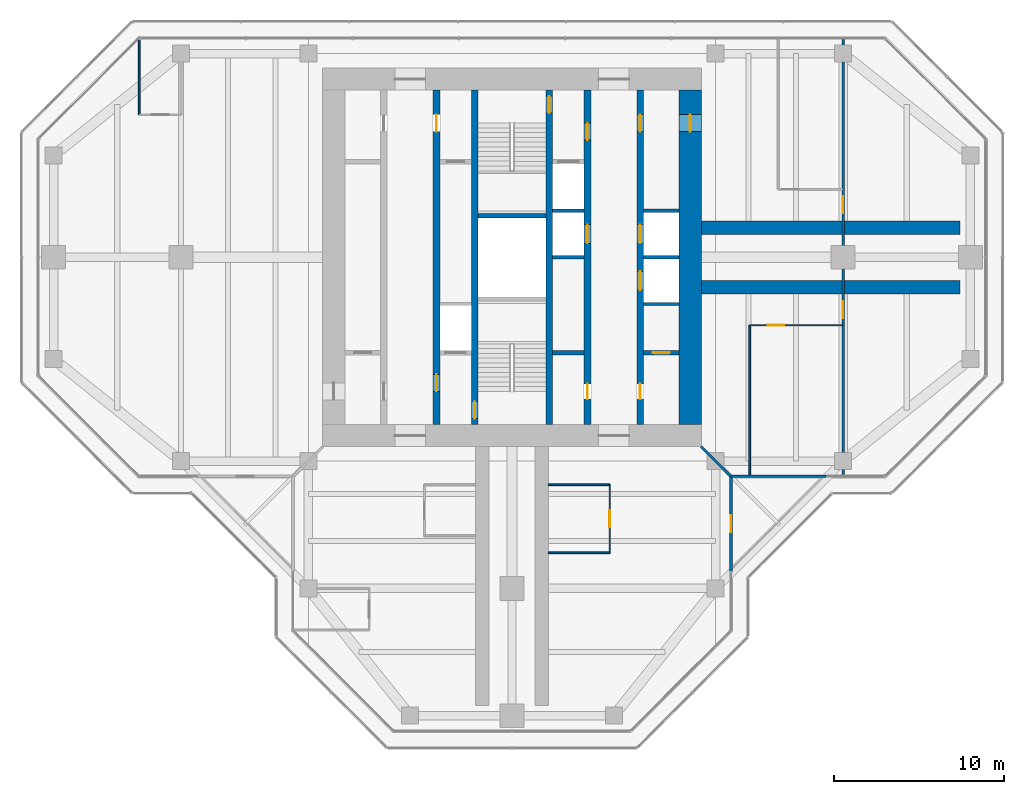
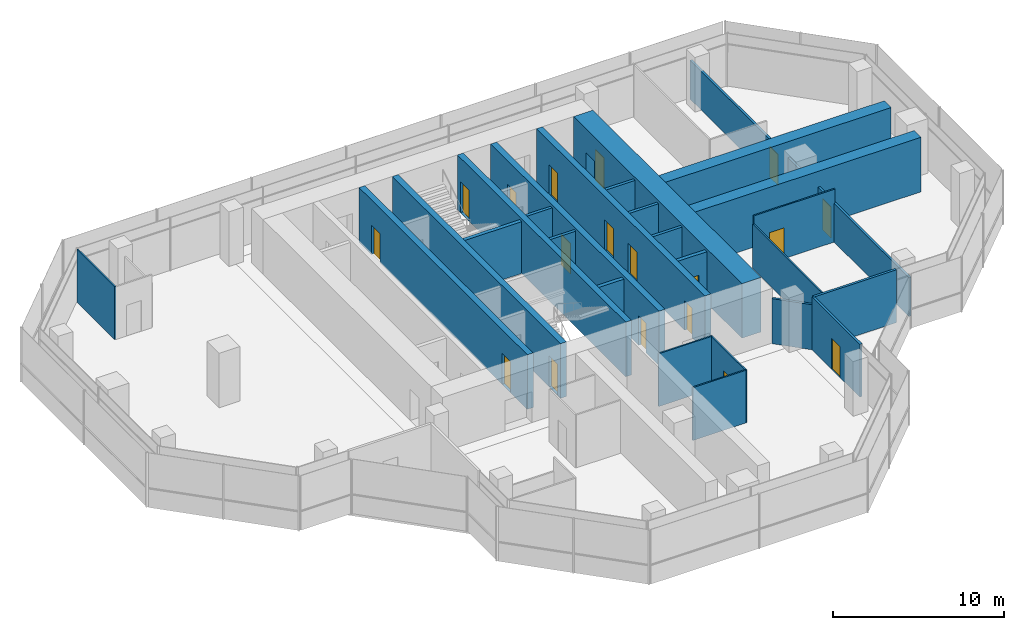
# One storey, part 12 of 15: 26 walls, 18 doors, 18 openings.
"""IFC4 building model written with IfcOpenShell, lengths in metres."""

from ifc_helpers import new_model, si_unit, direction, frame, frame_2d, origin, place, context, subcontext, project, spatial, rectangle, extrude, material, layer, layer_set, type_object, element, fill, save


model = new_model("IFC4")

# Units and contexts
model_context = context("Model", 3, precision=1e-05, world=origin(), true_north=direction((0.0, 1.0)))
body_context = subcontext(model_context, "Body", "Model", "MODEL_VIEW")
ifc_project = project(units=[si_unit("LENGTHUNIT", "METRE"), si_unit("AREAUNIT", "SQUARE_METRE"), si_unit("VOLUMEUNIT", "CUBIC_METRE"), si_unit("PLANEANGLEUNIT", "RADIAN"), si_unit("MASSUNIT", "GRAM", prefix="KILO")], contexts=[model_context])

# Site, building, storey
site_placement = place(None, origin())
site = spatial("IfcSite", under=ifc_project, at=site_placement, CompositionType="ELEMENT")
building_placement = place(site_placement, origin())
building = spatial("IfcBuilding", under=site, at=building_placement, Name="Mizan Broadcast Tower", CompositionType="ELEMENT")
storey_placement = place(building_placement, frame((0.0, 0.0, 271.199951171875)))
storey = spatial("IfcBuildingStorey", under=building, at=storey_placement, Name="L64", CompositionType="ELEMENT", Elevation=271.199951171875)

# Wall, openings, doors
ifc_material_1 = material(Name="Concrete C70/85", Category="concrete")
ifc_layer_1 = layer(ifc_material_1, 0.39990234375)
ifc_layer_set_1 = layer_set([ifc_layer_1], Name="Concrete C70/85")
wall_type_1 = type_object("IfcWallType", Name="CORE INTERNAL WALL 400", PredefinedType="SHEAR", material=ifc_layer_set_1)
wall_1_placement = place(storey_placement, frame((7.550048828125, 9.85009765625, 0.0), z_axis=(0.0, 0.0, 1.0), x_axis=(0.0, -1.0, 0.0)))
wall_1 = element("IfcWall", 1, at=wall_1_placement, inside=storey, type_object=wall_type_1, Name="Core wall CORE/XW1E", PredefinedType="SHEAR", context=body_context, shape_type="SweptSolid", body=[
    extrude(rectangle(XDim=19.7001953125, YDim=0.39990234375, at=frame_2d((9.85009765625, 0.0))), origin(), (0.0, 0.0, 1.0), 3.900146484375),
])
opening_1_placement = place(wall_1_placement, frame((1.449951171875, 0.0, 0.0)))
opening_1 = element("IfcOpeningElement", 2, at=opening_1_placement, cuts=wall_1, Name="Opening D10F", PredefinedType="OPENING", context=body_context, shape_type="SweptSolid", body=[
    extrude(rectangle(XDim=1.0, YDim=2.199951171875, at=frame_2d((0.5, 1.10009765625))), frame((0.0, 0.2099609375, 0.0), z_axis=(0.0, -1.0, 0.0), x_axis=(1.0, 0.0, 0.0)), (0.0, 0.0, 1.0), 0.419921875),
])
opening_2_placement = place(wall_1_placement, frame((17.300048828125, 0.0, 0.0)))
opening_2 = element("IfcOpeningElement", 3, at=opening_2_placement, cuts=wall_1, Name="Opening D09", PredefinedType="OPENING", context=body_context, shape_type="SweptSolid", body=[
    extrude(rectangle(XDim=0.89990234375, YDim=2.10009765625, at=frame_2d((0.449951171875, 1.050048828125))), frame((0.0, 0.2099609375, 0.0), z_axis=(0.0, -1.0, 0.0), x_axis=(1.0, 0.0, 0.0)), (0.0, 0.0, 1.0), 0.419921875),
])
opening_3_placement = place(wall_1_placement, frame((7.925048828125, 0.0, 0.0)))
opening_3 = element("IfcOpeningElement", 4, at=opening_3_placement, cuts=wall_1, Name="Opening LD", PredefinedType="OPENING", context=body_context, shape_type="SweptSolid", body=[
    extrude(rectangle(XDim=1.10009765625, YDim=2.199951171875, at=frame_2d((0.550048828125, 1.10009765625))), frame((0.0, 0.2099609375, 0.0), z_axis=(0.0, -1.0, 0.0), x_axis=(1.0, 0.0, 0.0)), (0.0, 0.0, 1.0), 0.419921875),
])
opening_4_placement = place(wall_1_placement, frame((10.675048828125, 0.0, 0.0)))
opening_4 = element("IfcOpeningElement", 5, at=opening_4_placement, cuts=wall_1, Name="Opening LD", PredefinedType="OPENING", context=body_context, shape_type="SweptSolid", body=[
    extrude(rectangle(XDim=1.10009765625, YDim=2.199951171875, at=frame_2d((0.550048828125, 1.10009765625))), frame((0.0, 0.2099609375, 0.0), z_axis=(0.0, -1.0, 0.0), x_axis=(1.0, 0.0, 0.0)), (0.0, 0.0, 1.0), 0.419921875),
])
ifc_material_2 = material(Name="Steel door leaf in steel frame", Category="steel")
door_type_1 = type_object("IfcDoorType", Name="FIRE DOOR 1000 FD90", OperationType="SINGLE_SWING_LEFT", PredefinedType="DOOR", material=ifc_material_2)
door_1_placement = place(opening_1_placement, origin())
door_1 = element("IfcDoor", 6, at=door_1_placement, inside=storey, type_object=door_type_1, Name="East core passage door", OperationType="SINGLE_SWING_LEFT", OverallHeight=2.199951171875, OverallWidth=1.0, PredefinedType="DOOR", context=body_context, shape_type="SweptSolid", body=[
    extrude(rectangle(XDim=1.0, YDim=2.199951171875, at=frame_2d((0.5, 1.10009765625))), frame((0.0, 0.02490234375, 0.0), z_axis=(0.0, -1.0, 0.0), x_axis=(1.0, 0.0, 0.0)), (0.0, 0.0, 1.0), 0.050048828125),
])
fill(opening_1, door_1)
ifc_material_3 = material(Name="Steel door leaf in steel frame", Category="steel")
door_type_2 = type_object("IfcDoorType", Name="LIFT LANDING DOOR 1100", OperationType="SLIDING_TO_LEFT", PredefinedType="DOOR", material=ifc_material_3)
door_2_placement = place(opening_3_placement, origin())
door_2 = element("IfcDoor", 7, at=door_2_placement, inside=storey, type_object=door_type_2, Name="Landing door LD1", OperationType="SLIDING_TO_LEFT", OverallHeight=2.199951171875, OverallWidth=1.10009765625, PredefinedType="DOOR", context=body_context, shape_type="SweptSolid", body=[
    extrude(rectangle(XDim=1.10009765625, YDim=2.199951171875, at=frame_2d((0.550048828125, 1.10009765625))), frame((0.0, 0.02490234375, 0.0), z_axis=(0.0, -1.0, 0.0), x_axis=(1.0, 0.0, 0.0)), (0.0, 0.0, 1.0), 0.050048828125),
])
fill(opening_3, door_2)
door_3_placement = place(opening_4_placement, origin())
door_3 = element("IfcDoor", 8, at=door_3_placement, inside=storey, type_object=door_type_2, Name="Landing door LD2", OperationType="SLIDING_TO_LEFT", OverallHeight=2.199951171875, OverallWidth=1.10009765625, PredefinedType="DOOR", context=body_context, shape_type="SweptSolid", body=[
    extrude(rectangle(XDim=1.10009765625, YDim=2.199951171875, at=frame_2d((0.550048828125, 1.10009765625))), frame((0.0, 0.02490234375, 0.0), z_axis=(0.0, -1.0, 0.0), x_axis=(1.0, 0.0, 0.0)), (0.0, 0.0, 1.0), 0.050048828125),
])
fill(opening_4, door_3)
ifc_material_4 = material(Name="Timber door leaf in aluminium frame", Category="wood")
door_type_3 = type_object("IfcDoorType", Name="TOILET DOOR 900", OperationType="SINGLE_SWING_LEFT", PredefinedType="DOOR", material=ifc_material_4)
door_4_placement = place(opening_2_placement, origin())
door_4 = element("IfcDoor", 9, at=door_4_placement, inside=storey, type_object=door_type_3, Name="Female WC door", OperationType="SINGLE_SWING_RIGHT", OverallHeight=2.10009765625, OverallWidth=0.89990234375, PredefinedType="DOOR", context=body_context, shape_type="SweptSolid", body=[
    extrude(rectangle(XDim=0.89990234375, YDim=2.10009765625, at=frame_2d((0.449951171875, 1.050048828125))), frame((0.0, 0.02490234375, 0.0), z_axis=(0.0, -1.0, 0.0), x_axis=(1.0, 0.0, 0.0)), (0.0, 0.0, 1.0), 0.050048828125),
])
fill(opening_2, door_4)

wall_2_placement = place(storey_placement, frame((-4.449951171875, -9.85009765625, 0.0), z_axis=(0.0, 0.0, 1.0), x_axis=(0.0, 1.0, 0.0)))
wall_2 = element("IfcWall", 10, at=wall_2_placement, inside=storey, type_object=wall_type_1, Name="Core wall CORE/XWH", PredefinedType="SHEAR", context=body_context, shape_type="SweptSolid", body=[
    extrude(rectangle(XDim=19.7001953125, YDim=0.39990234375, at=frame_2d((9.85009765625, 0.0))), origin(), (0.0, 0.0, 1.0), 3.900146484375),
])
opening_5_placement = place(wall_2_placement, frame((1.949951171875, 0.0, 0.0)))
opening_5 = element("IfcOpeningElement", 11, at=opening_5_placement, cuts=wall_2, Name="Opening D10F", PredefinedType="OPENING", context=body_context, shape_type="SweptSolid", body=[
    extrude(rectangle(XDim=1.0, YDim=2.199951171875, at=frame_2d((0.5, 1.10009765625))), frame((0.0, 0.2099609375, 0.0), z_axis=(0.0, -1.0, 0.0), x_axis=(1.0, 0.0, 0.0)), (0.0, 0.0, 1.0), 0.419921875),
])
opening_6_placement = place(wall_2_placement, frame((17.25, 0.0, 0.0)))
opening_6 = element("IfcOpeningElement", 12, at=opening_6_placement, cuts=wall_2, Name="Opening D10A", PredefinedType="OPENING", context=body_context, shape_type="SweptSolid", body=[
    extrude(rectangle(XDim=1.0, YDim=2.10009765625, at=frame_2d((0.5, 1.050048828125))), frame((0.0, 0.2099609375, 0.0), z_axis=(0.0, -1.0, 0.0), x_axis=(1.0, 0.0, 0.0)), (0.0, 0.0, 1.0), 0.419921875),
])
ifc_material_5 = material(Name="Timber door leaf in aluminium frame", Category="wood")
door_type_4 = type_object("IfcDoorType", Name="ACCESSIBLE WC DOOR 1000", OperationType="SLIDING_TO_LEFT", PredefinedType="DOOR", material=ifc_material_5)
door_5_placement = place(opening_6_placement, origin())
door_5 = element("IfcDoor", 13, at=door_5_placement, inside=storey, type_object=door_type_4, Name="Accessible WC door", OperationType="SLIDING_TO_LEFT", OverallHeight=2.10009765625, OverallWidth=1.0, PredefinedType="DOOR", context=body_context, shape_type="SweptSolid", body=[
    extrude(rectangle(XDim=1.0, YDim=2.10009765625, at=frame_2d((0.5, 1.050048828125))), frame((0.0, 0.02490234375, 0.0), z_axis=(0.0, -1.0, 0.0), x_axis=(1.0, 0.0, 0.0)), (0.0, 0.0, 1.0), 0.050048828125),
])
fill(opening_6, door_5)
door_6_placement = place(opening_5_placement, origin())
door_6 = element("IfcDoor", 14, at=door_6_placement, inside=storey, type_object=door_type_1, Name="Firefighting lobby A door", OperationType="SINGLE_SWING_LEFT", OverallHeight=2.199951171875, OverallWidth=1.0, PredefinedType="DOOR", context=body_context, shape_type="SweptSolid", body=[
    extrude(rectangle(XDim=1.0, YDim=2.199951171875, at=frame_2d((0.5, 1.10009765625))), frame((0.0, 0.02490234375, 0.0), z_axis=(0.0, -1.0, 0.0), x_axis=(1.0, 0.0, 0.0)), (0.0, 0.0, 1.0), 0.050048828125),
])
fill(opening_5, door_6)

wall_3_placement = place(storey_placement, frame((4.449951171875, 9.85009765625, 0.0), z_axis=(0.0, 0.0, 1.0), x_axis=(0.0, -1.0, 0.0)))
wall_3 = element("IfcWall", 15, at=wall_3_placement, inside=storey, type_object=wall_type_1, Name="Core wall CORE/XWHE", PredefinedType="SHEAR", context=body_context, shape_type="SweptSolid", body=[
    extrude(rectangle(XDim=19.7001953125, YDim=0.39990234375, at=frame_2d((9.85009765625, 0.0))), origin(), (0.0, 0.0, 1.0), 3.900146484375),
])
opening_7_placement = place(wall_3_placement, frame((1.949951171875, 0.0, 0.0)))
opening_7 = element("IfcOpeningElement", 16, at=opening_7_placement, cuts=wall_3, Name="Opening D10F", PredefinedType="OPENING", context=body_context, shape_type="SweptSolid", body=[
    extrude(rectangle(XDim=1.0, YDim=2.199951171875, at=frame_2d((0.5, 1.10009765625))), frame((0.0, 0.2099609375, 0.0), z_axis=(0.0, -1.0, 0.0), x_axis=(1.0, 0.0, 0.0)), (0.0, 0.0, 1.0), 0.419921875),
])
opening_8_placement = place(wall_3_placement, frame((17.300048828125, 0.0, 0.0)))
opening_8 = element("IfcOpeningElement", 17, at=opening_8_placement, cuts=wall_3, Name="Opening D09", PredefinedType="OPENING", context=body_context, shape_type="SweptSolid", body=[
    extrude(rectangle(XDim=0.89990234375, YDim=2.10009765625, at=frame_2d((0.449951171875, 1.050048828125))), frame((0.0, 0.2099609375, 0.0), z_axis=(0.0, -1.0, 0.0), x_axis=(1.0, 0.0, 0.0)), (0.0, 0.0, 1.0), 0.419921875),
])
opening_9_placement = place(wall_3_placement, frame((7.925048828125, 0.0, 0.0)))
opening_9 = element("IfcOpeningElement", 18, at=opening_9_placement, cuts=wall_3, Name="Opening LD", PredefinedType="OPENING", context=body_context, shape_type="SweptSolid", body=[
    extrude(rectangle(XDim=1.10009765625, YDim=2.199951171875, at=frame_2d((0.550048828125, 1.10009765625))), frame((0.0, 0.2099609375, 0.0), z_axis=(0.0, -1.0, 0.0), x_axis=(1.0, 0.0, 0.0)), (0.0, 0.0, 1.0), 0.419921875),
])
door_7_placement = place(opening_7_placement, origin())
door_7 = element("IfcDoor", 19, at=door_7_placement, inside=storey, type_object=door_type_1, Name="Firefighting lobby B door", OperationType="SINGLE_SWING_LEFT", OverallHeight=2.199951171875, OverallWidth=1.0, PredefinedType="DOOR", context=body_context, shape_type="SweptSolid", body=[
    extrude(rectangle(XDim=1.0, YDim=2.199951171875, at=frame_2d((0.5, 1.10009765625))), frame((0.0, 0.02490234375, 0.0), z_axis=(0.0, -1.0, 0.0), x_axis=(1.0, 0.0, 0.0)), (0.0, 0.0, 1.0), 0.050048828125),
])
fill(opening_7, door_7)
door_8_placement = place(opening_9_placement, origin())
door_8 = element("IfcDoor", 20, at=door_8_placement, inside=storey, type_object=door_type_2, Name="Landing door LD3", OperationType="SLIDING_TO_LEFT", OverallHeight=2.199951171875, OverallWidth=1.10009765625, PredefinedType="DOOR", context=body_context, shape_type="SweptSolid", body=[
    extrude(rectangle(XDim=1.10009765625, YDim=2.199951171875, at=frame_2d((0.550048828125, 1.10009765625))), frame((0.0, 0.02490234375, 0.0), z_axis=(0.0, -1.0, 0.0), x_axis=(1.0, 0.0, 0.0)), (0.0, 0.0, 1.0), 0.050048828125),
])
fill(opening_9, door_8)
door_9_placement = place(opening_8_placement, origin())
door_9 = element("IfcDoor", 21, at=door_9_placement, inside=storey, type_object=door_type_3, Name="Cleaner's store door", OperationType="SINGLE_SWING_RIGHT", OverallHeight=2.10009765625, OverallWidth=0.89990234375, PredefinedType="DOOR", context=body_context, shape_type="SweptSolid", body=[
    extrude(rectangle(XDim=0.89990234375, YDim=2.10009765625, at=frame_2d((0.449951171875, 1.050048828125))), frame((0.0, 0.02490234375, 0.0), z_axis=(0.0, -1.0, 0.0), x_axis=(1.0, 0.0, 0.0)), (0.0, 0.0, 1.0), 0.050048828125),
])
fill(opening_8, door_9)

# Wall, opening, door
wall_4_placement = place(storey_placement, frame((-2.199951171875, -9.85009765625, 0.0), z_axis=(0.0, 0.0, 1.0), x_axis=(0.0, 1.0, 0.0)))
wall_4 = element("IfcWall", 22, at=wall_4_placement, inside=storey, type_object=wall_type_1, Name="Core wall CORE/XW2", PredefinedType="SHEAR", context=body_context, shape_type="SweptSolid", body=[
    extrude(rectangle(XDim=19.7001953125, YDim=0.39990234375, at=frame_2d((9.85009765625, 0.0))), origin(), (0.0, 0.0, 1.0), 3.900146484375),
])
opening_10_placement = place(wall_4_placement, frame((0.35009765625, 0.0, 0.0)))
opening_10 = element("IfcOpeningElement", 23, at=opening_10_placement, cuts=wall_4, Name="Opening D10S", PredefinedType="OPENING", context=body_context, shape_type="SweptSolid", body=[
    extrude(rectangle(XDim=1.0, YDim=2.199951171875, at=frame_2d((0.5, 1.10009765625))), frame((0.0, 0.2099609375, 0.0), z_axis=(0.0, -1.0, 0.0), x_axis=(1.0, 0.0, 0.0)), (0.0, 0.0, 1.0), 0.419921875),
])
ifc_material_6 = material(Name="Steel door leaf in steel frame", Category="steel")
door_type_5 = type_object("IfcDoorType", Name="STAIR DOOR 1000 FD90S", OperationType="SINGLE_SWING_RIGHT", PredefinedType="DOOR", material=ifc_material_6)
door_10_placement = place(opening_10_placement, origin())
door_10 = element("IfcDoor", 24, at=door_10_placement, inside=storey, type_object=door_type_5, Name="Stair A door", OperationType="SINGLE_SWING_RIGHT", OverallHeight=2.199951171875, OverallWidth=1.0, PredefinedType="DOOR", context=body_context, shape_type="SweptSolid", body=[
    extrude(rectangle(XDim=1.0, YDim=2.199951171875, at=frame_2d((0.5, 1.10009765625))), frame((0.0, 0.02490234375, 0.0), z_axis=(0.0, -1.0, 0.0), x_axis=(1.0, 0.0, 0.0)), (0.0, 0.0, 1.0), 0.050048828125),
])
fill(opening_10, door_10)

wall_5_placement = place(storey_placement, frame((2.199951171875, 9.85009765625, 0.0), z_axis=(0.0, 0.0, 1.0), x_axis=(0.0, -1.0, 0.0)))
wall_5 = element("IfcWall", 25, at=wall_5_placement, inside=storey, type_object=wall_type_1, Name="Core wall CORE/XW2E", PredefinedType="SHEAR", context=body_context, shape_type="SweptSolid", body=[
    extrude(rectangle(XDim=19.7001953125, YDim=0.39990234375, at=frame_2d((9.85009765625, 0.0))), origin(), (0.0, 0.0, 1.0), 3.900146484375),
])
opening_11_placement = place(wall_5_placement, frame((0.35009765625, 0.0, 0.0)))
opening_11 = element("IfcOpeningElement", 26, at=opening_11_placement, cuts=wall_5, Name="Opening D10S", PredefinedType="OPENING", context=body_context, shape_type="SweptSolid", body=[
    extrude(rectangle(XDim=1.0, YDim=2.199951171875, at=frame_2d((0.5, 1.10009765625))), frame((0.0, 0.2099609375, 0.0), z_axis=(0.0, -1.0, 0.0), x_axis=(1.0, 0.0, 0.0)), (0.0, 0.0, 1.0), 0.419921875),
])
door_11_placement = place(opening_11_placement, origin())
door_11 = element("IfcDoor", 27, at=door_11_placement, inside=storey, type_object=door_type_5, Name="Stair B door", OperationType="SINGLE_SWING_RIGHT", OverallHeight=2.199951171875, OverallWidth=1.0, PredefinedType="DOOR", context=body_context, shape_type="SweptSolid", body=[
    extrude(rectangle(XDim=1.0, YDim=2.199951171875, at=frame_2d((0.5, 1.10009765625))), frame((0.0, 0.02490234375, 0.0), z_axis=(0.0, -1.0, 0.0), x_axis=(1.0, 0.0, 0.0)), (0.0, 0.0, 1.0), 0.050048828125),
])
fill(opening_11, door_11)

ifc_material_7 = material(Name="Concrete C70/85", Category="concrete")
ifc_layer_2 = layer(ifc_material_7, 1.300048828125)
ifc_layer_set_2 = layer_set([ifc_layer_2], Name="Concrete C70/85")
wall_type_2 = type_object("IfcWallType", Name="CORE WALL 1300", PredefinedType="SHEAR", material=ifc_layer_set_2)
wall_6_placement = place(storey_placement, frame((10.5, -9.85009765625, 0.0), z_axis=(0.0, 0.0, 1.0), x_axis=(0.0, 1.0, 0.0)))
wall_6 = element("IfcWall", 28, at=wall_6_placement, inside=storey, type_object=wall_type_2, Name="Core wall E L64", PredefinedType="SHEAR", context=body_context, shape_type="SweptSolid", body=[
    extrude(rectangle(XDim=19.7001953125, YDim=1.300048828125, at=frame_2d((9.85009765625, 0.0))), origin(), (0.0, 0.0, 1.0), 3.900146484375),
])
opening_12_placement = place(wall_6_placement, frame((17.25, 0.0, 0.0)))
opening_12 = element("IfcOpeningElement", 29, at=opening_12_placement, cuts=wall_6, Name="Opening D10F", PredefinedType="OPENING", context=body_context, shape_type="SweptSolid", body=[
    extrude(rectangle(XDim=1.0, YDim=2.199951171875, at=frame_2d((0.5, 1.10009765625))), frame((0.0, 0.659912109375, 0.0), z_axis=(0.0, -1.0, 0.0), x_axis=(1.0, 0.0, 0.0)), (0.0, 0.0, 1.0), 1.320068359375),
])
door_12_placement = place(opening_12_placement, origin())
door_12 = element("IfcDoor", 30, at=door_12_placement, inside=storey, type_object=door_type_1, Name="East core passage arm door", OperationType="SINGLE_SWING_RIGHT", OverallHeight=2.199951171875, OverallWidth=1.0, PredefinedType="DOOR", context=body_context, shape_type="SweptSolid", body=[
    extrude(rectangle(XDim=1.0, YDim=2.199951171875, at=frame_2d((0.5, 1.10009765625))), frame((0.0, 0.02490234375, 0.0), z_axis=(0.0, -1.0, 0.0), x_axis=(1.0, 0.0, 0.0)), (0.0, 0.0, 1.0), 0.050048828125),
])
fill(opening_12, door_12)

# Wall
ifc_material_8 = material(Name="Aluminium framed glazed screen", Category="aluminium")
ifc_layer_3 = layer(ifc_material_8, 0.159912109375)
ifc_layer_set_3 = layer_set([ifc_layer_3], Name="Aluminium framed glazed screen")
wall_type_3 = type_object("IfcWallType", Name="GLAZED SCREEN WALL 160", PredefinedType="SOLIDWALL", material=ifc_layer_set_3)
wall_7_placement = place(storey_placement, frame((12.89990234375, -12.89990234375, 0.0), z_axis=(0.0, 0.0, 1.0), x_axis=(1.0, 0.0, 0.0)))
element("IfcWall", 31, at=wall_7_placement, inside=storey, type_object=wall_type_3, Name="Winter garden screen L64 E", PredefinedType="SOLIDWALL", context=body_context, shape_type="SweptSolid", body=[
    extrude(rectangle(XDim=5.60009765625, YDim=0.159912109375, at=frame_2d((2.800048828125, 0.0))), origin(), (0.0, 0.0, 1.0), 3.77001953125),
])

# Wall, opening, door
wall_8_placement = place(storey_placement, frame((12.89990234375, -18.5, 0.0), z_axis=(0.0, 0.0, 1.0), x_axis=(0.0, 1.0, 0.0)))
wall_8 = element("IfcWall", 32, at=wall_8_placement, inside=storey, type_object=wall_type_3, Name="Winter garden screen L64 S", PredefinedType="SOLIDWALL", context=body_context, shape_type="SweptSolid", body=[
    extrude(rectangle(XDim=5.60009765625, YDim=0.159912109375, at=frame_2d((2.800048828125, 0.0))), origin(), (0.0, 0.0, 1.0), 3.77001953125),
])
opening_13_placement = place(wall_8_placement, frame((2.300048828125, 0.0, 0.0)))
opening_13 = element("IfcOpeningElement", 33, at=opening_13_placement, cuts=wall_8, Name="Opening WGD", PredefinedType="OPENING", context=body_context, shape_type="SweptSolid", body=[
    extrude(rectangle(XDim=1.0, YDim=2.199951171875, at=frame_2d((0.5, 1.10009765625))), frame((0.0, 0.08984375, 0.0), z_axis=(0.0, -1.0, 0.0), x_axis=(1.0, 0.0, 0.0)), (0.0, 0.0, 1.0), 0.179931640625),
])
ifc_material_9 = material(Name="Aluminium framed glazed door", Category="aluminium")
door_type_6 = type_object("IfcDoorType", Name="WINTER GARDEN DOOR 1000 GLAZED", OperationType="SINGLE_SWING_LEFT", PredefinedType="DOOR", material=ifc_material_9)
door_13_placement = place(opening_13_placement, origin())
door_13 = element("IfcDoor", 34, at=door_13_placement, inside=storey, type_object=door_type_6, Name="Winter garden door L64 S", OperationType="SINGLE_SWING_RIGHT", OverallHeight=2.199951171875, OverallWidth=1.0, PredefinedType="DOOR", context=body_context, shape_type="SweptSolid", body=[
    extrude(rectangle(XDim=1.0, YDim=2.199951171875, at=frame_2d((0.5, 1.10009765625))), frame((0.0, 0.02490234375, 0.0), z_axis=(0.0, -1.0, 0.0), x_axis=(1.0, 0.0, 0.0)), (0.0, 0.0, 1.0), 0.050048828125),
])
fill(opening_13, door_13)

# Walls
ifc_material_10 = material(Name="Concrete blockwork", Category="masonry")
ifc_layer_4 = layer(ifc_material_10, 0.199951171875)
ifc_layer_set_4 = layer_set([ifc_layer_4], Name="Concrete blockwork")
wall_type_4 = type_object("IfcWallType", Name="LIFT SHAFT WALL 200", PredefinedType="SOLIDWALL", material=ifc_layer_set_4)
wall_9_placement = place(storey_placement, frame((7.75, -2.75, 0.0), z_axis=(0.0, 0.0, 1.0), x_axis=(1.0, 0.0, 0.0)))
element("IfcWall", 35, at=wall_9_placement, inside=storey, type_object=wall_type_4, Name="Lift shaft wall CORE/SE1-1", PredefinedType="SOLIDWALL", context=body_context, shape_type="SweptSolid", body=[
    extrude(rectangle(XDim=2.10009765625, YDim=0.199951171875, at=frame_2d((1.050048828125, 0.0))), origin(), (0.0, 0.0, 1.0), 3.699951171875),
])
wall_10_placement = place(storey_placement, frame((2.39990234375, 0.0, 0.0), z_axis=(0.0, 0.0, 1.0), x_axis=(1.0, 0.0, 0.0)))
element("IfcWall", 36, at=wall_10_placement, inside=storey, type_object=wall_type_4, Name="Lift shaft wall CORE/SE2-2", PredefinedType="SOLIDWALL", context=body_context, shape_type="SweptSolid", body=[
    extrude(rectangle(XDim=1.85009765625, YDim=0.199951171875, at=frame_2d((0.925048828125, 0.0))), origin(), (0.0, 0.0, 1.0), 3.699951171875),
])
wall_11_placement = place(storey_placement, frame((7.75, 0.0, 0.0), z_axis=(0.0, 0.0, 1.0), x_axis=(1.0, 0.0, 0.0)))
element("IfcWall", 37, at=wall_11_placement, inside=storey, type_object=wall_type_4, Name="Lift shaft wall CORE/SE1-2", PredefinedType="SOLIDWALL", context=body_context, shape_type="SweptSolid", body=[
    extrude(rectangle(XDim=2.10009765625, YDim=0.199951171875, at=frame_2d((1.050048828125, 0.0))), origin(), (0.0, 0.0, 1.0), 3.699951171875),
])
wall_12_placement = place(storey_placement, frame((2.39990234375, 2.75, 0.0), z_axis=(0.0, 0.0, 1.0), x_axis=(1.0, 0.0, 0.0)))
element("IfcWall", 38, at=wall_12_placement, inside=storey, type_object=wall_type_4, Name="Lift shaft wall CORE/SE2-3", PredefinedType="SOLIDWALL", context=body_context, shape_type="SweptSolid", body=[
    extrude(rectangle(XDim=1.85009765625, YDim=0.199951171875, at=frame_2d((0.925048828125, 0.0))), origin(), (0.0, 0.0, 1.0), 3.699951171875),
])
wall_13_placement = place(storey_placement, frame((7.75, 2.75, 0.0), z_axis=(0.0, 0.0, 1.0), x_axis=(1.0, 0.0, 0.0)))
element("IfcWall", 39, at=wall_13_placement, inside=storey, type_object=wall_type_4, Name="Lift shaft wall CORE/SE1-3", PredefinedType="SOLIDWALL", context=body_context, shape_type="SweptSolid", body=[
    extrude(rectangle(XDim=2.10009765625, YDim=0.199951171875, at=frame_2d((1.050048828125, 0.0))), origin(), (0.0, 0.0, 1.0), 3.699951171875),
])
ifc_material_11 = material(Name="Concrete blockwork", Category="masonry")
ifc_layer_5 = layer(ifc_material_11, 0.25)
ifc_layer_set_5 = layer_set([ifc_layer_5], Name="Concrete blockwork")
wall_type_5 = type_object("IfcWallType", Name="LOBBY ENCLOSURE WALL 250", PredefinedType="SOLIDWALL", material=ifc_layer_set_5)
wall_14_placement = place(storey_placement, frame((2.39990234375, -5.625, 0.0), z_axis=(0.0, 0.0, 1.0), x_axis=(1.0, 0.0, 0.0)))
element("IfcWall", 40, at=wall_14_placement, inside=storey, type_object=wall_type_5, Name="Lobby enclosure wall CORE/BE2S", PredefinedType="SOLIDWALL", context=body_context, shape_type="SweptSolid", body=[
    extrude(rectangle(XDim=1.85009765625, YDim=0.25, at=frame_2d((0.925048828125, 0.0))), origin(), (0.0, 0.0, 1.0), 3.699951171875),
])

# Wall, opening, door
wall_15_placement = place(storey_placement, frame((7.75, -5.625, 0.0), z_axis=(0.0, 0.0, 1.0), x_axis=(1.0, 0.0, 0.0)))
wall_15 = element("IfcWall", 41, at=wall_15_placement, inside=storey, type_object=wall_type_5, Name="Lobby enclosure wall CORE/BE1S", PredefinedType="SOLIDWALL", context=body_context, shape_type="SweptSolid", body=[
    extrude(rectangle(XDim=2.10009765625, YDim=0.25, at=frame_2d((1.050048828125, 0.0))), origin(), (0.0, 0.0, 1.0), 3.699951171875),
])
opening_14_placement = place(wall_15_placement, frame((0.550048828125, 0.0, 0.0)))
opening_14 = element("IfcOpeningElement", 42, at=opening_14_placement, cuts=wall_15, Name="Opening D10F", PredefinedType="OPENING", context=body_context, shape_type="SweptSolid", body=[
    extrude(rectangle(XDim=1.0, YDim=2.199951171875, at=frame_2d((0.5, 1.10009765625))), frame((0.0, 0.135009765625, 0.0), z_axis=(0.0, -1.0, 0.0), x_axis=(1.0, 0.0, 0.0)), (0.0, 0.0, 1.0), 0.27001953125),
])
door_14_placement = place(opening_14_placement, origin())
door_14 = element("IfcDoor", 43, at=door_14_placement, inside=storey, type_object=door_type_1, Name="Female staff shower room door", OperationType="SINGLE_SWING_LEFT", OverallHeight=2.199951171875, OverallWidth=1.0, PredefinedType="DOOR", context=body_context, shape_type="SweptSolid", body=[
    extrude(rectangle(XDim=1.0, YDim=2.199951171875, at=frame_2d((0.5, 1.10009765625))), frame((0.0, 0.02490234375, 0.0), z_axis=(0.0, -1.0, 0.0), x_axis=(1.0, 0.0, 0.0)), (0.0, 0.0, 1.0), 0.050048828125),
])
fill(opening_14, door_14)

# Wall
wall_16_placement = place(storey_placement, frame((-2.0, 2.449951171875, 0.0), z_axis=(0.0, 0.0, 1.0), x_axis=(1.0, 0.0, 0.0)))
element("IfcWall", 44, at=wall_16_placement, inside=storey, type_object=wall_type_5, Name="Lobby enclosure wall CORE/STB", PredefinedType="SOLIDWALL", context=body_context, shape_type="SweptSolid", body=[
    extrude(rectangle(XDim=4.0, YDim=0.25, at=frame_2d((2.0, 0.0))), origin(), (0.0, 0.0, 1.0), 3.699951171875),
])

# Wall, openings, doors
ifc_material_12 = material(Name="Gypsum board on steel studs", Category="steel")
ifc_layer_6 = layer(ifc_material_12, 0.14990234375)
ifc_layer_set_6 = layer_set([ifc_layer_6], Name="Gypsum board on steel studs")
wall_type_6 = type_object("IfcWallType", Name="PARTITION 150", PredefinedType="PARTITIONING", material=ifc_layer_set_6)
wall_17_placement = place(storey_placement, frame((19.5, -12.820068359375, 0.0), z_axis=(0.0, 0.0, 1.0), x_axis=(0.0, 1.0, 0.0)))
wall_17 = element("IfcWall", 45, at=wall_17_placement, inside=storey, type_object=wall_type_6, Name="Partition PT/EX1", PredefinedType="PARTITIONING", context=body_context, shape_type="SweptSolid", body=[
    extrude(rectangle(XDim=25.64013671875, YDim=0.14990234375, at=frame_2d((12.820068359375, 0.0))), origin(), (0.0, 0.0, 1.0), 2.77001953125),
])
opening_15_placement = place(wall_17_placement, frame((15.419921875, 0.0, 0.0)))
opening_15 = element("IfcOpeningElement", 46, at=opening_15_placement, cuts=wall_17, Name="Opening D10", PredefinedType="OPENING", context=body_context, shape_type="SweptSolid", body=[
    extrude(rectangle(XDim=1.0, YDim=2.199951171875, at=frame_2d((0.5, 1.10009765625))), frame((0.0, 0.0849609375, 0.0), z_axis=(0.0, -1.0, 0.0), x_axis=(1.0, 0.0, 0.0)), (0.0, 0.0, 1.0), 0.169921875),
])
opening_16_placement = place(wall_17_placement, frame((9.219970703125, 0.0, 0.0)))
opening_16 = element("IfcOpeningElement", 47, at=opening_16_placement, cuts=wall_17, Name="Opening D10", PredefinedType="OPENING", context=body_context, shape_type="SweptSolid", body=[
    extrude(rectangle(XDim=1.0, YDim=2.199951171875, at=frame_2d((0.5, 1.10009765625))), frame((0.0, 0.0849609375, 0.0), z_axis=(0.0, -1.0, 0.0), x_axis=(1.0, 0.0, 0.0)), (0.0, 0.0, 1.0), 0.169921875),
])
ifc_material_13 = material(Name="Timber door leaf in aluminium frame", Category="wood")
door_type_7 = type_object("IfcDoorType", Name="ROOM DOOR 1000", OperationType="SINGLE_SWING_LEFT", PredefinedType="DOOR", material=ifc_material_13)
door_15_placement = place(opening_15_placement, origin())
door_15 = element("IfcDoor", 48, at=door_15_placement, inside=storey, type_object=door_type_7, Name="Duty office door", OperationType="SINGLE_SWING_RIGHT", OverallHeight=2.199951171875, OverallWidth=1.0, PredefinedType="DOOR", context=body_context, shape_type="SweptSolid", body=[
    extrude(rectangle(XDim=1.0, YDim=2.199951171875, at=frame_2d((0.5, 1.10009765625))), frame((0.0, 0.02490234375, 0.0), z_axis=(0.0, -1.0, 0.0), x_axis=(1.0, 0.0, 0.0)), (0.0, 0.0, 1.0), 0.050048828125),
])
fill(opening_15, door_15)
door_16_placement = place(opening_16_placement, origin())
door_16 = element("IfcDoor", 49, at=door_16_placement, inside=storey, type_object=door_type_7, Name="Duty office door", OperationType="SINGLE_SWING_LEFT", OverallHeight=2.199951171875, OverallWidth=1.0, PredefinedType="DOOR", context=body_context, shape_type="SweptSolid", body=[
    extrude(rectangle(XDim=1.0, YDim=2.199951171875, at=frame_2d((0.5, 1.10009765625))), frame((0.0, 0.02490234375, 0.0), z_axis=(0.0, -1.0, 0.0), x_axis=(1.0, 0.0, 0.0)), (0.0, 0.0, 1.0), 0.050048828125),
])
fill(opening_16, door_16)

# Wall
wall_18_placement = place(storey_placement, frame((11.14990234375, -11.14990234375, 0.0), z_axis=(0.0, 0.0, 1.0), x_axis=(0.707106781187, -0.707106781187, 0.0)))
element("IfcWall", 50, at=wall_18_placement, inside=storey, type_object=wall_type_6, Name="Partition PT/DGES", PredefinedType="PARTITIONING", context=body_context, shape_type="SweptSolid", body=[
    extrude(rectangle(XDim=2.460693359375, YDim=0.14990234375, at=frame_2d((1.23046875, 0.0))), origin(), (0.0, 0.0, 1.0), 3.219970703125),
])

# Wall, opening, door
ifc_material_14 = material(Name="Glazed aluminium partition on aluminium track", Category="aluminium")
ifc_layer_7 = layer(ifc_material_14, 0.10009765625)
ifc_layer_set_7 = layer_set([ifc_layer_7], Name="Glazed aluminium partition on aluminium track")
wall_type_7 = type_object("IfcWallType", Name="PARTITION GLAZED OFFICE FRONT 100", PredefinedType="PARTITIONING", material=ifc_layer_set_7)
wall_19_placement = place(storey_placement, frame((14.0, -4.0, 0.0), z_axis=(0.0, 0.0, 1.0), x_axis=(1.0, 0.0, 0.0)))
wall_19 = element("IfcWall", 51, at=wall_19_placement, inside=storey, type_object=wall_type_7, Name="Glazed office front PT/ECN0", PredefinedType="PARTITIONING", context=body_context, shape_type="SweptSolid", body=[
    extrude(rectangle(XDim=5.5, YDim=0.10009765625, at=frame_2d((2.75, 0.0))), origin(), (0.0, 0.0, 1.0), 3.77001953125),
])
opening_17_placement = place(wall_19_placement, frame((1.050048828125, 0.0, 0.0)))
opening_17 = element("IfcOpeningElement", 52, at=opening_17_placement, cuts=wall_19, Name="Opening D10O", PredefinedType="OPENING", context=body_context, shape_type="SweptSolid", body=[
    extrude(rectangle(XDim=1.0, YDim=2.199951171875, at=frame_2d((0.5, 1.10009765625))), frame((0.0, 0.06005859375, 0.0), z_axis=(0.0, -1.0, 0.0), x_axis=(1.0, 0.0, 0.0)), (0.0, 0.0, 1.0), 0.1201171875),
])
ifc_material_15 = material(Name="Timber door leaf in aluminium frame", Category="wood")
door_type_8 = type_object("IfcDoorType", Name="OFFICE DOOR 1000 GLAZED", OperationType="SINGLE_SWING_LEFT", PredefinedType="DOOR", material=ifc_material_15)
door_17_placement = place(opening_17_placement, origin())
door_17 = element("IfcDoor", 53, at=door_17_placement, inside=storey, type_object=door_type_8, Name="Meeting room door", OperationType="SINGLE_SWING_LEFT", OverallHeight=2.199951171875, OverallWidth=1.0, PredefinedType="DOOR", context=body_context, shape_type="SweptSolid", body=[
    extrude(rectangle(XDim=1.0, YDim=2.199951171875, at=frame_2d((0.5, 1.10009765625))), frame((0.0, 0.02490234375, 0.0), z_axis=(0.0, -1.0, 0.0), x_axis=(1.0, 0.0, 0.0)), (0.0, 0.0, 1.0), 0.050048828125),
])
fill(opening_17, door_17)

# Walls
wall_20_placement = place(storey_placement, frame((14.0, -4.0, 0.0), z_axis=(0.0, 0.0, 1.0), x_axis=(0.0, -1.0, 0.0)))
element("IfcWall", 54, at=wall_20_placement, inside=storey, type_object=wall_type_7, Name="Glazed office front PT/EQN1400", PredefinedType="PARTITIONING", context=body_context, shape_type="SweptSolid", body=[
    extrude(rectangle(XDim=8.820068359375, YDim=0.10009765625, at=frame_2d((4.41015625, 0.0))), origin(), (0.0, 0.0, 1.0), 3.179931640625),
])
wall_21_placement = place(storey_placement, frame((-21.958984375, 8.39990234375, 0.0), z_axis=(0.0, 0.0, 1.0), x_axis=(0.0, 1.0, 0.0)))
element("IfcWall", 55, at=wall_21_placement, inside=storey, type_object=wall_type_7, Name="Glazed office front PT/WQN2196", PredefinedType="PARTITIONING", context=body_context, shape_type="SweptSolid", body=[
    extrude(rectangle(XDim=4.420166015625, YDim=0.10009765625, at=frame_2d((2.2099609375, 0.0))), origin(), (0.0, 0.0, 1.0), 3.77001953125),
])
for number, where, z_axis, x_axis, name in (
    (56, (2.14990234375, -13.39990234375, 0.0), (0.0, 0.0, 1.0), (1.0, 0.0, 0.0), "Glazed office front PT/SKP0a"),
    (57, (2.14990234375, -17.39990234375, 0.0), (0.0, 0.0, 1.0), (1.0, 0.0, 0.0), "Glazed office front PT/SKP0b"),
):
    element("IfcWall", number, at=place(storey_placement, frame(where, z_axis=z_axis, x_axis=x_axis)), inside=storey, type_object=wall_type_7, Name=name, PredefinedType="PARTITIONING", context=body_context, shape_type="SweptSolid", body=[
        extrude(rectangle(XDim=3.60009765625, YDim=0.10009765625, at=frame_2d((1.800048828125, 0.0))), origin(), (0.0, 0.0, 1.0), 3.77001953125),
    ])

# Wall, opening, door
wall_22_placement = place(storey_placement, frame((5.75, -13.35009765625, 0.0), z_axis=(0.0, 0.0, 1.0), x_axis=(0.0, -1.0, 0.0)))
wall_22 = element("IfcWall", 58, at=wall_22_placement, inside=storey, type_object=wall_type_7, Name="Glazed office front PT/SKP0f", PredefinedType="PARTITIONING", context=body_context, shape_type="SweptSolid", body=[
    extrude(rectangle(XDim=4.099853515625, YDim=0.10009765625, at=frame_2d((2.0498046875, 0.0))), origin(), (0.0, 0.0, 1.0), 3.77001953125),
])
opening_18_placement = place(wall_22_placement, frame((1.550048828125, 0.0, 0.0)))
opening_18 = element("IfcOpeningElement", 59, at=opening_18_placement, cuts=wall_22, Name="Opening D10O", PredefinedType="OPENING", context=body_context, shape_type="SweptSolid", body=[
    extrude(rectangle(XDim=1.0, YDim=2.199951171875, at=frame_2d((0.5, 1.10009765625))), frame((0.0, 0.06005859375, 0.0), z_axis=(0.0, -1.0, 0.0), x_axis=(1.0, 0.0, 0.0)), (0.0, 0.0, 1.0), 0.1201171875),
])
door_18_placement = place(opening_18_placement, origin())
door_18 = element("IfcDoor", 60, at=door_18_placement, inside=storey, type_object=door_type_8, Name="Equipment room door", OperationType="SINGLE_SWING_LEFT", OverallHeight=2.199951171875, OverallWidth=1.0, PredefinedType="DOOR", context=body_context, shape_type="SweptSolid", body=[
    extrude(rectangle(XDim=1.0, YDim=2.199951171875, at=frame_2d((0.5, 1.10009765625))), frame((0.0, 0.02490234375, 0.0), z_axis=(0.0, -1.0, 0.0), x_axis=(1.0, 0.0, 0.0)), (0.0, 0.0, 1.0), 0.050048828125),
])
fill(opening_18, door_18)

# Walls
ifc_material_16 = material(Name="Concrete C70/85", Category="concrete")
ifc_layer_8 = layer(ifc_material_16, 0.800048828125)
ifc_layer_set_8 = layer_set([ifc_layer_8], Name="Concrete C70/85")
wall_type_8 = type_object("IfcWallType", Name="SPINE WALL 800", PredefinedType="SHEAR", material=ifc_layer_set_8)
for number, where, z_axis, x_axis, name in (
    (61, (11.14990234375, -1.75, 0.0), (0.0, 0.0, 1.0), (1.0, 0.0, 0.0), "Spine wall ER L64"),
    (62, (11.14990234375, 1.75, 0.0), (0.0, 0.0, 1.0), (1.0, 0.0, 0.0), "Spine wall EL L64"),
):
    element("IfcWall", number, at=place(storey_placement, frame(where, z_axis=z_axis, x_axis=x_axis)), inside=storey, type_object=wall_type_8, Name=name, PredefinedType="SHEAR", context=body_context, shape_type="SweptSolid", body=[
        extrude(rectangle(XDim=15.25, YDim=0.800048828125, at=frame_2d((7.625, 0.0))), origin(), (0.0, 0.0, 1.0), 3.900146484375),
    ])

save(model, "model.ifc")
